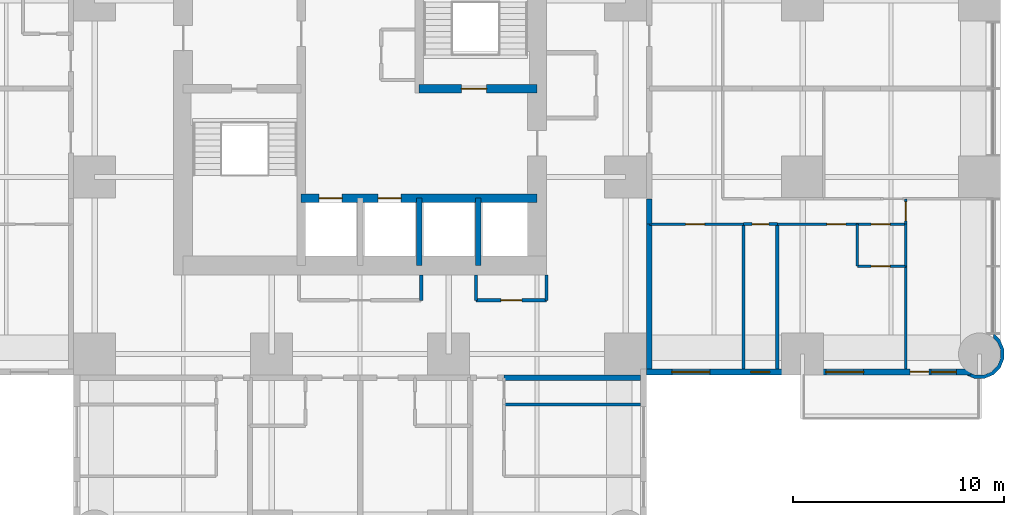
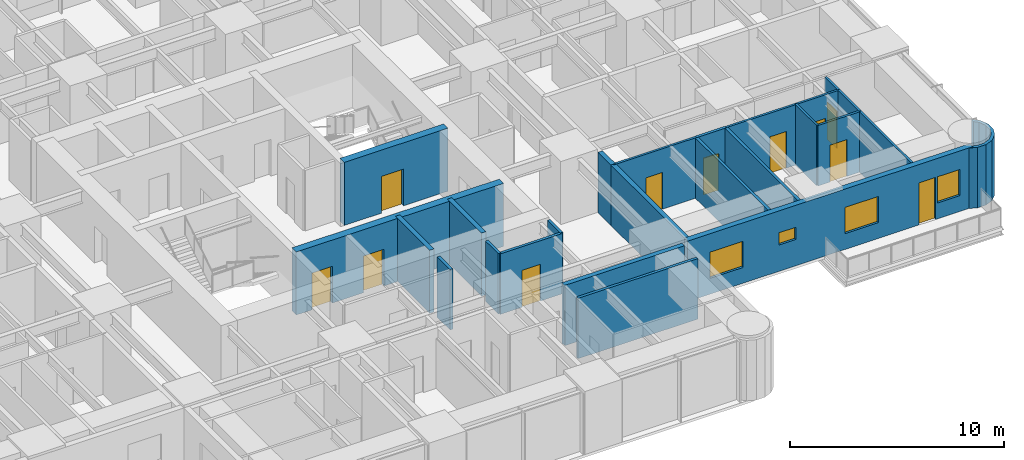
# One storey, part 9 of 14: 25 walls, 11 doors, 4 windows, 15 openings.
"""IFC4 building model written with IfcOpenShell, lengths in metres."""

from ifc_helpers import new_model, si_unit, direction, frame, frame_2d, origin, place, context, subcontext, project, spatial, polyline, rectangle, outline, extrude, material, layer, layer_set, type_object, element, fill, save


model = new_model("IFC4")

# Units and contexts
model_context = context("Model", 3, precision=1e-05, world=origin(), true_north=direction((0.0, 1.0)))
body_context = subcontext(model_context, "Body", "Model", "MODEL_VIEW")
ifc_project = project(units=[si_unit("LENGTHUNIT", "METRE"), si_unit("AREAUNIT", "SQUARE_METRE"), si_unit("VOLUMEUNIT", "CUBIC_METRE"), si_unit("PLANEANGLEUNIT", "RADIAN"), si_unit("MASSUNIT", "GRAM", prefix="KILO")], contexts=[model_context])

# Site, building, storey
site_placement = place(None, origin())
site = spatial("IfcSite", under=ifc_project, at=site_placement, CompositionType="ELEMENT")
building_placement = place(site_placement, origin())
building = spatial("IfcBuilding", under=site, at=building_placement, Name="Torre Alcanfor", CompositionType="ELEMENT")
storey_placement = place(building_placement, frame((0.0, 0.0, 112.5)))
storey = spatial("IfcBuildingStorey", under=building, at=storey_placement, Name="L28", CompositionType="ELEMENT", Elevation=112.5)

# Walls
ifc_material_1 = material(Name="Concrete block masonry, hollow blocks NMX-C-404 9 MPa", Category="masonry")
ifc_layer_1 = layer(ifc_material_1, 0.25)
ifc_layer_set_1 = layer_set([ifc_layer_1], Name="Apartment entrance wall 250 EI 60")
wall_type_1 = type_object("IfcWallType", Name="Apartment entrance wall 250 EI 60", PredefinedType="PARTITIONING", material=ifc_layer_set_1)
wall_1_placement = place(storey_placement, frame((43.125, 24.1708984375, 0.0), z_axis=(0.0, 0.0, 1.0), x_axis=(0.0, -1.0, 0.0)))
element("IfcWall", 1, at=wall_1_placement, inside=storey, type_object=wall_type_1, Name="Partition L28-CORR / L28-E2-HALL", PredefinedType="PARTITIONING", context=body_context, shape_type="SweptSolid", body=[
    extrude(rectangle(XDim=1.199951171875, YDim=0.25, at=frame_2d((0.60009765625, 0.0))), origin(), (0.0, 0.0, 1.0), 3.449951171875),
])
wall_2_placement = place(storey_placement, frame((43.125, 22.970947265625, 0.0), z_axis=(0.0, 0.0, 1.0), x_axis=(0.0, -1.0, 0.0)))
element("IfcWall", 2, at=wall_2_placement, inside=storey, type_object=wall_type_1, Name="Partition L28-CORR / L28-E2-BED2", PredefinedType="PARTITIONING", context=body_context, shape_type="SweptSolid", body=[
    extrude(rectangle(XDim=6.870849609375, YDim=0.25, at=frame_2d((3.435546875, 0.0))), origin(), (0.0, 0.0, 1.0), 3.449951171875),
])
wall_3_placement = place(storey_placement, frame((42.699951171875, 15.675048828125, 0.0), z_axis=(0.0, 0.0, 1.0), x_axis=(-1.0, 0.0, 0.0)))
element("IfcWall", 3, at=wall_3_placement, inside=storey, type_object=wall_type_1, Name="Partition L28-CORR / L28-S1B-BATH", PredefinedType="PARTITIONING", context=body_context, shape_type="SweptSolid", body=[
    extrude(rectangle(XDim=6.470947265625, YDim=0.25, at=frame_2d((3.2353515625, 0.0))), origin(), (0.0, 0.0, 1.0), 3.449951171875),
])

# Wall, opening, door
ifc_material_2 = material(Name="Gypsum board on steel studs", Category="steel")
ifc_layer_2 = layer(ifc_material_2, 0.1201171875)
ifc_layer_set_2 = layer_set([ifc_layer_2], Name="Apartment partition 120")
wall_type_2 = type_object("IfcWallType", Name="Apartment partition 120", PredefinedType="PARTITIONING", material=ifc_layer_set_2)
wall_4_placement = place(storey_placement, frame((47.60009765625, 22.970947265625, 0.0), z_axis=(0.0, 0.0, 1.0), x_axis=(-1.0, 0.0, 0.0)))
wall_4 = element("IfcWall", 4, at=wall_4_placement, inside=storey, type_object=wall_type_2, Name="Partition L28-E2-HALL / L28-E2-BED2", PredefinedType="PARTITIONING", context=body_context, shape_type="SweptSolid", body=[
    extrude(rectangle(XDim=4.47509765625, YDim=0.1201171875, at=frame_2d((2.237548828125, 0.0))), origin(), (0.0, 0.0, 1.0), 3.449951171875),
])
opening_1_placement = place(wall_4_placement, frame((1.85009765625, 0.0, 0.0)))
opening_1 = element("IfcOpeningElement", 5, at=opening_1_placement, cuts=wall_4, Name="Opening D-R1", PredefinedType="OPENING", context=body_context, shape_type="SweptSolid", body=[
    extrude(rectangle(XDim=0.89990234375, YDim=2.10009765625, at=frame_2d((0.449951171875, 1.050048828125))), frame((0.0, 0.070068359375, 0.0), z_axis=(0.0, -1.0, 0.0), x_axis=(1.0, 0.0, 0.0)), (0.0, 0.0, 1.0), 0.14013671875),
])
ifc_material_3 = material(Name="Timber", Category="wood")
door_type_1 = type_object("IfcDoorType", Name="Internal door 900x2100", OperationType="SINGLE_SWING_LEFT", PredefinedType="DOOR", material=ifc_material_3)
door_1_placement = place(opening_1_placement, origin())
door_1 = element("IfcDoor", 6, at=door_1_placement, inside=storey, type_object=door_type_1, Name="Door L28-E2 bed2", OperationType="SINGLE_SWING_RIGHT", OverallHeight=2.10009765625, OverallWidth=0.89990234375, PredefinedType="DOOR", context=body_context, shape_type="SweptSolid", body=[
    extrude(rectangle(XDim=0.89990234375, YDim=2.10009765625, at=frame_2d((0.449951171875, 1.050048828125))), frame((0.0, 0.02490234375, 0.0), z_axis=(0.0, -1.0, 0.0), x_axis=(1.0, 0.0, 0.0)), (0.0, 0.0, 1.0), 0.050048828125),
])
fill(opening_1, door_1)

wall_5_placement = place(storey_placement, frame((53.0, 22.970947265625, 0.0), z_axis=(0.0, 0.0, 1.0), x_axis=(-1.0, 0.0, 0.0)))
wall_5 = element("IfcWall", 7, at=wall_5_placement, inside=storey, type_object=wall_type_2, Name="Partition L28-E2-HALL / L28-E2-MASTER", PredefinedType="PARTITIONING", context=body_context, shape_type="SweptSolid", body=[
    extrude(rectangle(XDim=3.800048828125, YDim=0.1201171875, at=frame_2d((1.89990234375, 0.0))), origin(), (0.0, 0.0, 1.0), 3.449951171875),
])
opening_2_placement = place(wall_5_placement, frame((0.550048828125, 0.0, 0.0)))
opening_2 = element("IfcOpeningElement", 8, at=opening_2_placement, cuts=wall_5, Name="Opening D-R1", PredefinedType="OPENING", context=body_context, shape_type="SweptSolid", body=[
    extrude(rectangle(XDim=0.89990234375, YDim=2.10009765625, at=frame_2d((0.449951171875, 1.050048828125))), frame((0.0, 0.070068359375, 0.0), z_axis=(0.0, -1.0, 0.0), x_axis=(1.0, 0.0, 0.0)), (0.0, 0.0, 1.0), 0.14013671875),
])
door_2_placement = place(opening_2_placement, origin())
door_2 = element("IfcDoor", 9, at=door_2_placement, inside=storey, type_object=door_type_1, Name="Door L28-E2 master", OperationType="SINGLE_SWING_LEFT", OverallHeight=2.10009765625, OverallWidth=0.89990234375, PredefinedType="DOOR", context=body_context, shape_type="SweptSolid", body=[
    extrude(rectangle(XDim=0.89990234375, YDim=2.10009765625, at=frame_2d((0.449951171875, 1.050048828125))), frame((0.0, 0.02490234375, 0.0), z_axis=(0.0, -1.0, 0.0), x_axis=(1.0, 0.0, 0.0)), (0.0, 0.0, 1.0), 0.050048828125),
])
fill(opening_2, door_2)

wall_6_placement = place(storey_placement, frame((55.300048828125, 22.970947265625, 0.0), z_axis=(0.0, 0.0, 1.0), x_axis=(-1.0, 0.0, 0.0)))
wall_6 = element("IfcWall", 10, at=wall_6_placement, inside=storey, type_object=wall_type_2, Name="Partition L28-E2-HALL / L28-E2-VEST", PredefinedType="PARTITIONING", context=body_context, shape_type="SweptSolid", body=[
    extrude(rectangle(XDim=2.300048828125, YDim=0.1201171875, at=frame_2d((1.14990234375, 0.0))), origin(), (0.0, 0.0, 1.0), 3.449951171875),
])
opening_3_placement = place(wall_6_placement, frame((0.75, 0.0, 0.0)))
opening_3 = element("IfcOpeningElement", 11, at=opening_3_placement, cuts=wall_6, Name="Opening D-R1", PredefinedType="OPENING", context=body_context, shape_type="SweptSolid", body=[
    extrude(rectangle(XDim=0.89990234375, YDim=2.10009765625, at=frame_2d((0.449951171875, 1.050048828125))), frame((0.0, 0.070068359375, 0.0), z_axis=(0.0, -1.0, 0.0), x_axis=(1.0, 0.0, 0.0)), (0.0, 0.0, 1.0), 0.14013671875),
])
door_3_placement = place(opening_3_placement, origin())
door_3 = element("IfcDoor", 12, at=door_3_placement, inside=storey, type_object=door_type_1, Name="Door L28-E2 vest", OperationType="SINGLE_SWING_RIGHT", OverallHeight=2.10009765625, OverallWidth=0.89990234375, PredefinedType="DOOR", context=body_context, shape_type="SweptSolid", body=[
    extrude(rectangle(XDim=0.89990234375, YDim=2.10009765625, at=frame_2d((0.449951171875, 1.050048828125))), frame((0.0, 0.02490234375, 0.0), z_axis=(0.0, -1.0, 0.0), x_axis=(1.0, 0.0, 0.0)), (0.0, 0.0, 1.0), 0.050048828125),
])
fill(opening_3, door_3)

wall_7_placement = place(storey_placement, frame((55.300048828125, 24.1708984375, 0.0), z_axis=(0.0, 0.0, 1.0), x_axis=(0.0, -1.0, 0.0)))
wall_7 = element("IfcWall", 13, at=wall_7_placement, inside=storey, type_object=wall_type_2, Name="Partition L28-E2-HALL / L28-E2-WGARD", PredefinedType="PARTITIONING", context=body_context, shape_type="SweptSolid", body=[
    extrude(rectangle(XDim=1.199951171875, YDim=0.1201171875, at=frame_2d((0.60009765625, 0.0))), origin(), (0.0, 0.0, 1.0), 3.449951171875),
])
opening_4_placement = place(wall_7_placement, frame((0.15087890625, 0.0, 0.0)))
opening_4 = element("IfcOpeningElement", 14, at=opening_4_placement, cuts=wall_7, Name="Opening D-R1", PredefinedType="OPENING", context=body_context, shape_type="SweptSolid", body=[
    extrude(rectangle(XDim=0.89990234375, YDim=2.10009765625, at=frame_2d((0.449951171875, 1.050048828125))), frame((0.0, 0.070068359375, 0.0), z_axis=(0.0, -1.0, 0.0), x_axis=(1.0, 0.0, 0.0)), (0.0, 0.0, 1.0), 0.14013671875),
])
door_4_placement = place(opening_4_placement, origin())
door_4 = element("IfcDoor", 15, at=door_4_placement, inside=storey, type_object=door_type_1, Name="Door L28-E2 wgard", OperationType="SINGLE_SWING_LEFT", OverallHeight=2.10009765625, OverallWidth=0.89990234375, PredefinedType="DOOR", context=body_context, shape_type="SweptSolid", body=[
    extrude(rectangle(XDim=0.89990234375, YDim=2.10009765625, at=frame_2d((0.449951171875, 1.050048828125))), frame((0.0, 0.02490234375, 0.0), z_axis=(0.0, -1.0, 0.0), x_axis=(1.0, 0.0, 0.0)), (0.0, 0.0, 1.0), 0.050048828125),
])
fill(opening_4, door_4)

# Wall
wall_8_placement = place(storey_placement, frame((53.0, 22.970947265625, 0.0), z_axis=(0.0, 0.0, 1.0), x_axis=(0.0, -1.0, 0.0)))
element("IfcWall", 16, at=wall_8_placement, inside=storey, type_object=wall_type_2, Name="Partition L28-E2-MASTER / L28-E2-VEST", PredefinedType="PARTITIONING", context=body_context, shape_type="SweptSolid", body=[
    extrude(rectangle(XDim=2.0, YDim=0.1201171875, at=frame_2d((1.0, 0.0))), origin(), (0.0, 0.0, 1.0), 3.449951171875),
])

# Wall, opening, door
wall_9_placement = place(storey_placement, frame((53.0, 20.970947265625, 0.0), z_axis=(0.0, 0.0, 1.0), x_axis=(1.0, 0.0, 0.0)))
wall_9 = element("IfcWall", 17, at=wall_9_placement, inside=storey, type_object=wall_type_2, Name="Partition L28-E2-MASTER / L28-E2-VEST", PredefinedType="PARTITIONING", context=body_context, shape_type="SweptSolid", body=[
    extrude(rectangle(XDim=2.300048828125, YDim=0.1201171875, at=frame_2d((1.14990234375, 0.0))), origin(), (0.0, 0.0, 1.0), 3.449951171875),
])
opening_5_placement = place(wall_9_placement, frame((0.64990234375, 0.0, 0.0)))
opening_5 = element("IfcOpeningElement", 18, at=opening_5_placement, cuts=wall_9, Name="Opening D-R1", PredefinedType="OPENING", context=body_context, shape_type="SweptSolid", body=[
    extrude(rectangle(XDim=0.89990234375, YDim=2.10009765625, at=frame_2d((0.449951171875, 1.050048828125))), frame((0.0, 0.070068359375, 0.0), z_axis=(0.0, -1.0, 0.0), x_axis=(1.0, 0.0, 0.0)), (0.0, 0.0, 1.0), 0.14013671875),
])
door_5_placement = place(opening_5_placement, origin())
door_5 = element("IfcDoor", 19, at=door_5_placement, inside=storey, type_object=door_type_1, Name="Door L28-E2 master", OperationType="SINGLE_SWING_LEFT", OverallHeight=2.10009765625, OverallWidth=0.89990234375, PredefinedType="DOOR", context=body_context, shape_type="SweptSolid", body=[
    extrude(rectangle(XDim=0.89990234375, YDim=2.10009765625, at=frame_2d((0.449951171875, 1.050048828125))), frame((0.0, 0.02490234375, 0.0), z_axis=(0.0, -1.0, 0.0), x_axis=(1.0, 0.0, 0.0)), (0.0, 0.0, 1.0), 0.050048828125),
])
fill(opening_5, door_5)

# Walls
wall_10_placement = place(storey_placement, frame((55.300048828125, 20.970947265625, 0.0), z_axis=(0.0, 0.0, 1.0), x_axis=(0.0, -1.0, 0.0)))
element("IfcWall", 20, at=wall_10_placement, inside=storey, type_object=wall_type_2, Name="Partition L28-E2-MASTER / L28-E2-WGARD", PredefinedType="PARTITIONING", context=body_context, shape_type="SweptSolid", body=[
    extrude(rectangle(XDim=4.870849609375, YDim=0.1201171875, at=frame_2d((2.435546875, 0.0))), origin(), (0.0, 0.0, 1.0), 3.449951171875),
])
wall_11_placement = place(storey_placement, frame((55.300048828125, 22.970947265625, 0.0), z_axis=(0.0, 0.0, 1.0), x_axis=(0.0, -1.0, 0.0)))
element("IfcWall", 21, at=wall_11_placement, inside=storey, type_object=wall_type_2, Name="Partition L28-E2-VEST / L28-E2-WGARD", PredefinedType="PARTITIONING", context=body_context, shape_type="SweptSolid", body=[
    extrude(rectangle(XDim=2.0, YDim=0.1201171875, at=frame_2d((1.0, 0.0))), origin(), (0.0, 0.0, 1.0), 3.449951171875),
])

# Wall, openings, doors
ifc_material_4 = material(Name="Concrete f'c 70 MPa", Category="concrete")
ifc_layer_3 = layer(ifc_material_4, 0.39990234375)
ifc_layer_set_3 = layer_set([ifc_layer_3], Name="Core inner wall 400 f'c70")
wall_type_3 = type_object("IfcWallType", Name="Core inner wall 400 f'c70", PredefinedType="SHEAR", material=ifc_layer_set_3)
wall_12_placement = place(storey_placement, frame((26.60009765625, 24.199951171875, 0.0), z_axis=(0.0, 0.0, 1.0), x_axis=(1.0, 0.0, 0.0)))
wall_12 = element("IfcWall", 22, at=wall_12_placement, inside=storey, type_object=wall_type_3, Name="Core wall Y242 L28", PredefinedType="SHEAR", context=body_context, shape_type="SweptSolid", body=[
    extrude(rectangle(XDim=11.199951171875, YDim=0.39990234375, at=frame_2d((5.60009765625, 0.0))), origin(), (0.0, 0.0, 1.0), 3.60009765625),
])
opening_6_placement = place(wall_12_placement, frame((0.85009765625, 0.0, 0.0)))
opening_6 = element("IfcOpeningElement", 23, at=opening_6_placement, cuts=wall_12, Name="Opening LD1", PredefinedType="OPENING", context=body_context, shape_type="SweptSolid", body=[
    extrude(rectangle(XDim=1.10009765625, YDim=2.10009765625, at=frame_2d((0.550048828125, 1.050048828125))), frame((0.0, 0.2099609375, 0.0), z_axis=(0.0, -1.0, 0.0), x_axis=(1.0, 0.0, 0.0)), (0.0, 0.0, 1.0), 0.419921875),
])
opening_7_placement = place(wall_12_placement, frame((3.64990234375, 0.0, 0.0)))
opening_7 = element("IfcOpeningElement", 24, at=opening_7_placement, cuts=wall_12, Name="Opening LD1", PredefinedType="OPENING", context=body_context, shape_type="SweptSolid", body=[
    extrude(rectangle(XDim=1.10009765625, YDim=2.10009765625, at=frame_2d((0.550048828125, 1.050048828125))), frame((0.0, 0.2099609375, 0.0), z_axis=(0.0, -1.0, 0.0), x_axis=(1.0, 0.0, 0.0)), (0.0, 0.0, 1.0), 0.419921875),
])
ifc_material_5 = material(Name="Galvanised steel sheet ASTM A653", Category="steel")
door_type_2 = type_object("IfcDoorType", Name="Lift landing door 1100x2100", OperationType="DOUBLE_DOOR_SLIDING", PredefinedType="DOOR", material=ifc_material_5)
door_6_placement = place(opening_6_placement, origin())
door_6 = element("IfcDoor", 25, at=door_6_placement, inside=storey, type_object=door_type_2, Name="Lift landing door PA1 L28", OperationType="DOUBLE_DOOR_SLIDING", OverallHeight=2.10009765625, OverallWidth=1.10009765625, PredefinedType="DOOR", context=body_context, shape_type="SweptSolid", body=[
    extrude(rectangle(XDim=1.10009765625, YDim=2.10009765625, at=frame_2d((0.550048828125, 1.050048828125))), frame((0.0, 0.02490234375, 0.0), z_axis=(0.0, -1.0, 0.0), x_axis=(1.0, 0.0, 0.0)), (0.0, 0.0, 1.0), 0.050048828125),
])
fill(opening_6, door_6)
door_7_placement = place(opening_7_placement, origin())
door_7 = element("IfcDoor", 26, at=door_7_placement, inside=storey, type_object=door_type_2, Name="Lift landing door PA2 L28", OperationType="DOUBLE_DOOR_SLIDING", OverallHeight=2.10009765625, OverallWidth=1.10009765625, PredefinedType="DOOR", context=body_context, shape_type="SweptSolid", body=[
    extrude(rectangle(XDim=1.10009765625, YDim=2.10009765625, at=frame_2d((0.550048828125, 1.050048828125))), frame((0.0, 0.02490234375, 0.0), z_axis=(0.0, -1.0, 0.0), x_axis=(1.0, 0.0, 0.0)), (0.0, 0.0, 1.0), 0.050048828125),
])
fill(opening_7, door_7)

# Wall, opening, door
wall_13_placement = place(storey_placement, frame((32.199951171875, 29.39990234375, 0.0), z_axis=(0.0, 0.0, 1.0), x_axis=(1.0, 0.0, 0.0)))
wall_13 = element("IfcWall", 27, at=wall_13_placement, inside=storey, type_object=wall_type_3, Name="Core wall Y294E L28", PredefinedType="SHEAR", context=body_context, shape_type="SweptSolid", body=[
    extrude(rectangle(XDim=5.60009765625, YDim=0.39990234375, at=frame_2d((2.800048828125, 0.0))), origin(), (0.0, 0.0, 1.0), 3.60009765625),
])
opening_8_placement = place(wall_13_placement, frame((2.0, 0.0, 0.0)))
opening_8 = element("IfcOpeningElement", 28, at=opening_8_placement, cuts=wall_13, Name="Opening D-S2", PredefinedType="OPENING", context=body_context, shape_type="SweptSolid", body=[
    extrude(rectangle(XDim=1.199951171875, YDim=2.10009765625, at=frame_2d((0.60009765625, 1.050048828125))), frame((0.0, 0.2099609375, 0.0), z_axis=(0.0, -1.0, 0.0), x_axis=(1.0, 0.0, 0.0)), (0.0, 0.0, 1.0), 0.419921875),
])
ifc_material_6 = material(Name="Galvanised steel sheet ASTM A653", Category="steel")
door_type_3 = type_object("IfcDoorType", Name="Stair enclosure door FD120 1200x2100", OperationType="SINGLE_SWING_LEFT", PredefinedType="DOOR", material=ifc_material_6)
door_8_placement = place(opening_8_placement, origin())
door_8 = element("IfcDoor", 29, at=door_8_placement, inside=storey, type_object=door_type_3, Name="Stair S2 door L28", OperationType="SINGLE_SWING_LEFT", OverallHeight=2.10009765625, OverallWidth=1.199951171875, PredefinedType="DOOR", context=body_context, shape_type="SweptSolid", body=[
    extrude(rectangle(XDim=1.199951171875, YDim=2.10009765625, at=frame_2d((0.60009765625, 1.050048828125))), frame((0.0, 0.02490234375, 0.0), z_axis=(0.0, -1.0, 0.0), x_axis=(1.0, 0.0, 0.0)), (0.0, 0.0, 1.0), 0.050048828125),
])
fill(opening_8, door_8)

# Walls
ifc_material_7 = material(Name="Concrete f'c 70 MPa", Category="concrete")
ifc_layer_4 = layer(ifc_material_7, 0.25)
ifc_layer_set_4 = layer_set([ifc_layer_4], Name="Core shaft wall 250 f'c70")
wall_type_4 = type_object("IfcWallType", Name="Core shaft wall 250 f'c70", PredefinedType="SHEAR", material=ifc_layer_set_4)
for number, where, z_axis, x_axis, name in (
    (30, (32.199951171875, 21.0, 0.0), (0.0, 0.0, 1.0), (0.0, 1.0, 0.0), "Core wall X322S L28"),
    (31, (35.0, 21.0, 0.0), (0.0, 0.0, 1.0), (0.0, 1.0, 0.0), "Core wall X350S L28"),
):
    element("IfcWall", number, at=place(storey_placement, frame(where, z_axis=z_axis, x_axis=x_axis)), inside=storey, type_object=wall_type_4, Name=name, PredefinedType="SHEAR", context=body_context, shape_type="SweptSolid", body=[
        extrude(rectangle(XDim=3.199951171875, YDim=0.25, at=frame_2d((1.60009765625, 0.0))), origin(), (0.0, 0.0, 1.0), 3.60009765625),
    ])

# Wall, openings, door, windows
ifc_material_8 = material(Name="Limestone cladding", Category="masonry")
ifc_layer_5 = layer(ifc_material_8, 0.0400390625, Name="Facing")
ifc_material_9 = material(Name="Ventilated air cavity")
ifc_layer_6 = layer(ifc_material_9, 0.02001953125, ventilated=True, Name="Ventilated joint")
ifc_material_10 = material(Name="Mineral wool insulation", Category="insulation")
ifc_layer_7 = layer(ifc_material_10, 0.10009765625, Name="Insulation")
ifc_material_11 = material(Name="Concrete f'c 35 MPa", Category="concrete")
ifc_layer_8 = layer(ifc_material_11, 0.139892578125, Name="Backing")
ifc_layer_set_5 = layer_set([ifc_layer_5, ifc_layer_6, ifc_layer_7, ifc_layer_8], Name="External wall stone-clad 300")
wall_type_5 = type_object("IfcWallType", Name="External wall stone-clad 300", PredefinedType="SOLIDWALL", material=ifc_layer_set_5)
wall_14_placement = place(storey_placement, frame((43.0, 15.949951171875, 0.0), z_axis=(0.0, 0.0, 1.0), x_axis=(1.0, 0.0, 0.0)))
wall_14 = element("IfcWall", 32, at=wall_14_placement, inside=storey, type_object=wall_type_5, Name="External wall L28 7", PredefinedType="SOLIDWALL", context=body_context, shape_type="SweptSolid", body=[
    extrude(rectangle(XDim=15.39990234375, YDim=0.300048828125, at=frame_2d((7.699951171875, 0.0))), origin(), (0.0, 0.0, 1.0), 3.449951171875),
])
opening_9_placement = place(wall_14_placement, frame((1.199951171875, 0.0, 0.89990234375)))
opening_9 = element("IfcOpeningElement", 33, at=opening_9_placement, cuts=wall_14, Name="Opening W2", PredefinedType="OPENING", context=body_context, shape_type="SweptSolid", body=[
    extrude(rectangle(XDim=1.800048828125, YDim=1.5, at=frame_2d((0.89990234375, 0.75))), frame((0.0, 0.159912109375, 0.0), z_axis=(0.0, -1.0, 0.0), x_axis=(1.0, 0.0, 0.0)), (0.0, 0.0, 1.0), 0.320068359375),
])
opening_10_placement = place(wall_14_placement, frame((4.949951171875, 0.0, 1.5)))
opening_10 = element("IfcOpeningElement", 34, at=opening_10_placement, cuts=wall_14, Name="Opening W3", PredefinedType="OPENING", context=body_context, shape_type="SweptSolid", body=[
    extrude(rectangle(XDim=0.89990234375, YDim=0.699951171875, at=frame_2d((0.449951171875, 0.35009765625))), frame((0.0, 0.159912109375, 0.0), z_axis=(0.0, -1.0, 0.0), x_axis=(1.0, 0.0, 0.0)), (0.0, 0.0, 1.0), 0.320068359375),
])
opening_11_placement = place(wall_14_placement, frame((8.5, 0.0, 0.89990234375)))
opening_11 = element("IfcOpeningElement", 35, at=opening_11_placement, cuts=wall_14, Name="Opening W2", PredefinedType="OPENING", context=body_context, shape_type="SweptSolid", body=[
    extrude(rectangle(XDim=1.800048828125, YDim=1.5, at=frame_2d((0.89990234375, 0.75))), frame((0.0, 0.159912109375, 0.0), z_axis=(0.0, -1.0, 0.0), x_axis=(1.0, 0.0, 0.0)), (0.0, 0.0, 1.0), 0.320068359375),
])
opening_12_placement = place(wall_14_placement, frame((12.5, 0.0, 0.0)))
opening_12 = element("IfcOpeningElement", 36, at=opening_12_placement, cuts=wall_14, Name="Opening D-B1", PredefinedType="OPENING", context=body_context, shape_type="SweptSolid", body=[
    extrude(rectangle(XDim=0.89990234375, YDim=2.39990234375, at=frame_2d((0.449951171875, 1.199951171875))), frame((0.0, 0.159912109375, 0.0), z_axis=(0.0, -1.0, 0.0), x_axis=(1.0, 0.0, 0.0)), (0.0, 0.0, 1.0), 0.320068359375),
])
opening_13_placement = place(wall_14_placement, frame((13.5, 0.0, 0.89990234375)))
opening_13 = element("IfcOpeningElement", 37, at=opening_13_placement, cuts=wall_14, Name="Opening W4", PredefinedType="OPENING", context=body_context, shape_type="SweptSolid", body=[
    extrude(rectangle(XDim=1.199951171875, YDim=1.5, at=frame_2d((0.60009765625, 0.75))), frame((0.0, 0.159912109375, 0.0), z_axis=(0.0, -1.0, 0.0), x_axis=(1.0, 0.0, 0.0)), (0.0, 0.0, 1.0), 0.320068359375),
])
ifc_material_12 = material(Name="Aluminium and glass", Category="aluminium")
door_type_4 = type_object("IfcDoorType", Name="Balcony door glazed 900x2400", OperationType="SINGLE_SWING_LEFT", PredefinedType="DOOR", material=ifc_material_12)
door_9_placement = place(opening_12_placement, origin())
door_9 = element("IfcDoor", 38, at=door_9_placement, inside=storey, type_object=door_type_4, Name="Balcony door L28-E2", OperationType="SINGLE_SWING_LEFT", OverallHeight=2.39990234375, OverallWidth=0.89990234375, PredefinedType="DOOR", context=body_context, shape_type="SweptSolid", body=[
    extrude(rectangle(XDim=0.89990234375, YDim=2.39990234375, at=frame_2d((0.449951171875, 1.199951171875))), frame((0.0, 0.02490234375, 0.0), z_axis=(0.0, -1.0, 0.0), x_axis=(1.0, 0.0, 0.0)), (0.0, 0.0, 1.0), 0.050048828125),
])
fill(opening_12, door_9)
ifc_material_13 = material(Name="Aluminium frame with clear double glazing", Category="aluminium")
window_type_1 = type_object("IfcWindowType", Name="Window bathroom 900x700", PartitioningType="SINGLE_PANEL", PredefinedType="WINDOW", material=ifc_material_13)
window_1_placement = place(opening_10_placement, origin())
window_1 = element("IfcWindow", 39, at=window_1_placement, inside=storey, type_object=window_type_1, Name="Window W3 L28-E2", OverallHeight=0.699951171875, OverallWidth=0.89990234375, PartitioningType="SINGLE_PANEL", PredefinedType="WINDOW", context=body_context, shape_type="SweptSolid", body=[
    extrude(rectangle(XDim=0.89990234375, YDim=0.699951171875, at=frame_2d((0.449951171875, 0.35009765625))), frame((0.0, 0.030029296875, 0.0), z_axis=(0.0, -1.0, 0.0), x_axis=(1.0, 0.0, 0.0)), (0.0, 0.0, 1.0), 0.06005859375),
])
fill(opening_10, window_1)
ifc_material_14 = material(Name="Aluminium frame with clear double glazing", Category="aluminium")
window_type_2 = type_object("IfcWindowType", Name="Window bedroom 1200x1500", PartitioningType="SINGLE_PANEL", PredefinedType="WINDOW", material=ifc_material_14)
window_2_placement = place(opening_13_placement, origin())
window_2 = element("IfcWindow", 40, at=window_2_placement, inside=storey, type_object=window_type_2, Name="Window W4 L28-E2", OverallHeight=1.5, OverallWidth=1.199951171875, PartitioningType="SINGLE_PANEL", PredefinedType="WINDOW", context=body_context, shape_type="SweptSolid", body=[
    extrude(rectangle(XDim=1.199951171875, YDim=1.5, at=frame_2d((0.60009765625, 0.75))), frame((0.0, 0.030029296875, 0.0), z_axis=(0.0, -1.0, 0.0), x_axis=(1.0, 0.0, 0.0)), (0.0, 0.0, 1.0), 0.06005859375),
])
fill(opening_13, window_2)
ifc_material_15 = material(Name="Aluminium frame with clear double glazing", Category="aluminium")
window_type_3 = type_object("IfcWindowType", Name="Window bedroom 1800x1500", PartitioningType="SINGLE_PANEL", PredefinedType="WINDOW", material=ifc_material_15)
window_3_placement = place(opening_9_placement, origin())
window_3 = element("IfcWindow", 41, at=window_3_placement, inside=storey, type_object=window_type_3, Name="Window W2 L28-E2", OverallHeight=1.5, OverallWidth=1.800048828125, PartitioningType="SINGLE_PANEL", PredefinedType="WINDOW", context=body_context, shape_type="SweptSolid", body=[
    extrude(rectangle(XDim=1.800048828125, YDim=1.5, at=frame_2d((0.89990234375, 0.75))), frame((0.0, 0.030029296875, 0.0), z_axis=(0.0, -1.0, 0.0), x_axis=(1.0, 0.0, 0.0)), (0.0, 0.0, 1.0), 0.06005859375),
])
fill(opening_9, window_3)
window_4_placement = place(opening_11_placement, origin())
window_4 = element("IfcWindow", 42, at=window_4_placement, inside=storey, type_object=window_type_3, Name="Window W2 L28-E2", OverallHeight=1.5, OverallWidth=1.800048828125, PartitioningType="SINGLE_PANEL", PredefinedType="WINDOW", context=body_context, shape_type="SweptSolid", body=[
    extrude(rectangle(XDim=1.800048828125, YDim=1.5, at=frame_2d((0.89990234375, 0.75))), frame((0.0, 0.030029296875, 0.0), z_axis=(0.0, -1.0, 0.0), x_axis=(1.0, 0.0, 0.0)), (0.0, 0.0, 1.0), 0.06005859375),
])
fill(opening_11, window_4)

# Walls
ifc_material_16 = material(Name="Concrete block masonry, hollow blocks NMX-C-404 9 MPa", Category="masonry")
ifc_layer_9 = layer(ifc_material_16, 0.14990234375)
ifc_layer_set_6 = layer_set([ifc_layer_9], Name="Residents' room partition 150")
wall_type_6 = type_object("IfcWallType", Name="Residents' room partition 150", PredefinedType="PARTITIONING", material=ifc_layer_set_6)
for number, where, z_axis, x_axis, name in (
    (43, (32.300048828125, 19.35009765625, 0.0), (0.0, 0.0, 1.0), (0.0, 1.0, 0.0), "Partition L28-CORR / L28-G03"),
    (44, (34.89990234375, 20.550048828125, 0.0), (0.0, 0.0, 1.0), (0.0, -1.0, 0.0), "Partition L28-CORR / L28-G04"),
):
    element("IfcWall", number, at=place(storey_placement, frame(where, z_axis=z_axis, x_axis=x_axis)), inside=storey, type_object=wall_type_6, Name=name, PredefinedType="PARTITIONING", context=body_context, shape_type="SweptSolid", body=[
        extrude(rectangle(XDim=1.199951171875, YDim=0.14990234375, at=frame_2d((0.60009765625, 0.0))), origin(), (0.0, 0.0, 1.0), 3.449951171875),
    ])

# Wall, opening, door
wall_15_placement = place(storey_placement, frame((34.89990234375, 19.35009765625, 0.0), z_axis=(0.0, 0.0, 1.0), x_axis=(1.0, 0.0, 0.0)))
wall_15 = element("IfcWall", 45, at=wall_15_placement, inside=storey, type_object=wall_type_6, Name="Partition L28-CORR / L28-G04", PredefinedType="PARTITIONING", context=body_context, shape_type="SweptSolid", body=[
    extrude(rectangle(XDim=3.35009765625, YDim=0.14990234375, at=frame_2d((1.675048828125, 0.0))), origin(), (0.0, 0.0, 1.0), 3.449951171875),
])
opening_14_placement = place(wall_15_placement, frame((1.175048828125, 0.0, 0.0)))
opening_14 = element("IfcOpeningElement", 46, at=opening_14_placement, cuts=wall_15, Name="Opening D-M1", PredefinedType="OPENING", context=body_context, shape_type="SweptSolid", body=[
    extrude(rectangle(XDim=1.0, YDim=2.10009765625, at=frame_2d((0.5, 1.050048828125))), frame((0.0, 0.0849609375, 0.0), z_axis=(0.0, -1.0, 0.0), x_axis=(1.0, 0.0, 0.0)), (0.0, 0.0, 1.0), 0.169921875),
])
ifc_material_17 = material(Name="Timber", Category="wood")
door_type_5 = type_object("IfcDoorType", Name="Residents' room door 1000x2100", OperationType="SINGLE_SWING_LEFT", PredefinedType="DOOR", material=ifc_material_17)
door_10_placement = place(opening_14_placement, origin())
door_10 = element("IfcDoor", 47, at=door_10_placement, inside=storey, type_object=door_type_5, Name="Door L28-G04 bicycle store", OperationType="SINGLE_SWING_LEFT", OverallHeight=2.10009765625, OverallWidth=1.0, PredefinedType="DOOR", context=body_context, shape_type="SweptSolid", body=[
    extrude(rectangle(XDim=1.0, YDim=2.10009765625, at=frame_2d((0.5, 1.050048828125))), frame((0.0, 0.02490234375, 0.0), z_axis=(0.0, -1.0, 0.0), x_axis=(1.0, 0.0, 0.0)), (0.0, 0.0, 1.0), 0.050048828125),
])
fill(opening_14, door_10)

# Walls
wall_16_placement = place(storey_placement, frame((38.25, 19.35009765625, 0.0), z_axis=(0.0, 0.0, 1.0), x_axis=(0.0, 1.0, 0.0)))
element("IfcWall", 48, at=wall_16_placement, inside=storey, type_object=wall_type_6, Name="Partition L28-CORR / L28-G04", PredefinedType="PARTITIONING", context=body_context, shape_type="SweptSolid", body=[
    extrude(rectangle(XDim=1.199951171875, YDim=0.14990234375, at=frame_2d((0.60009765625, 0.0))), origin(), (0.0, 0.0, 1.0), 3.449951171875),
])
ifc_layer_10 = layer(ifc_material_8, 0.0400390625, Name="Facing")
ifc_layer_11 = layer(ifc_material_9, 0.02001953125, ventilated=True, Name="Ventilated joint")
ifc_layer_12 = layer(ifc_material_10, 0.10009765625, Name="Insulation")
ifc_layer_13 = layer(ifc_material_11, 0.139892578125, Name="Backing")
ifc_layer_set_7 = layer_set([ifc_layer_10, ifc_layer_11, ifc_layer_12, ifc_layer_13], Name="Rounded corner pier stone-clad 300")
wall_type_7 = type_object("IfcWallType", Name="Rounded corner pier stone-clad 300", PredefinedType="SOLIDWALL", material=ifc_layer_set_7)
wall_17_placement = place(storey_placement, frame((58.23289825, 15.880872367, 0.0), z_axis=(0.0, 0.0, 1.0), x_axis=(0.831199417842, -0.555974394895, 0.0)))
element("IfcWall", 49, at=wall_17_placement, inside=storey, type_object=wall_type_7, Name="Corner pier L28 17", PredefinedType="SOLIDWALL", context=body_context, shape_type="SweptSolid", body=[
    extrude(outline(polyline([(0.07490720727941269, 2.077056255461323), (0.35058090932236585, 2.0223606576391724), (0.6817630015684193, 1.801245056986267), (0.903148313597983, 1.470266968485048), (0.9810743332201726, 1.079752919387694), (0.9033971723616075, 0.6891358831375273), (0.6822815717087017, 0.357953790891474), (0.3513034832074829, 0.13656847886191043), (0.12609277122820509, 0.09166858659136967), (0.18374952362157154, 0.02566952150671363), (0.0035480873315148972, -0.09486398988645157), (0.41362540229185946, -0.013251520497138292), (0.7971622430443449, 0.2432893990220985), (1.053204411415727, 0.6272053345699222), (1.1431780027429084, 1.0797981539575094), (1.0527653834116597, 1.5324531516331712), (0.796224463892423, 1.9159899923856565), (0.4125114578899711, 2.172167896693292), (0.01728884083330451, 2.2505828385341395), (-0.023094138695660904, 2.22357138721968), (0.07490720727941269, 2.077056255461323)])), origin(), (0.0, 0.0, 1.0), 3.449951171875),
])

# Wall, opening, door
ifc_material_18 = material(Name="Cement board on steel studs", Category="steel")
ifc_layer_14 = layer(ifc_material_18, 0.14990234375)
ifc_layer_set_8 = layer_set([ifc_layer_14], Name="Wet area partition 150")
wall_type_8 = type_object("IfcWallType", Name="Wet area partition 150", PredefinedType="PARTITIONING", material=ifc_layer_set_8)
wall_18_placement = place(storey_placement, frame((49.199951171875, 22.970947265625, 0.0), z_axis=(0.0, 0.0, 1.0), x_axis=(-1.0, 0.0, 0.0)))
wall_18 = element("IfcWall", 50, at=wall_18_placement, inside=storey, type_object=wall_type_8, Name="Partition L28-E2-HALL / L28-E2-BATH1", PredefinedType="PARTITIONING", context=body_context, shape_type="SweptSolid", body=[
    extrude(rectangle(XDim=1.599853515625, YDim=0.14990234375, at=frame_2d((0.7998046875, 0.0))), origin(), (0.0, 0.0, 1.0), 3.449951171875),
])
opening_15_placement = place(wall_18_placement, frame((0.39990234375, 0.0, 0.0)))
opening_15 = element("IfcOpeningElement", 51, at=opening_15_placement, cuts=wall_18, Name="Opening D-R2", PredefinedType="OPENING", context=body_context, shape_type="SweptSolid", body=[
    extrude(rectangle(XDim=0.800048828125, YDim=2.10009765625, at=frame_2d((0.39990234375, 1.050048828125))), frame((0.0, 0.0849609375, 0.0), z_axis=(0.0, -1.0, 0.0), x_axis=(1.0, 0.0, 0.0)), (0.0, 0.0, 1.0), 0.169921875),
])
ifc_material_19 = material(Name="Timber", Category="wood")
door_type_6 = type_object("IfcDoorType", Name="Bathroom door 800x2100", OperationType="SINGLE_SWING_LEFT", PredefinedType="DOOR", material=ifc_material_19)
door_11_placement = place(opening_15_placement, origin())
door_11 = element("IfcDoor", 52, at=door_11_placement, inside=storey, type_object=door_type_6, Name="Door L28-E2 bath1", OperationType="SINGLE_SWING_LEFT", OverallHeight=2.10009765625, OverallWidth=0.800048828125, PredefinedType="DOOR", context=body_context, shape_type="SweptSolid", body=[
    extrude(rectangle(XDim=0.800048828125, YDim=2.10009765625, at=frame_2d((0.39990234375, 1.050048828125))), frame((0.0, 0.02490234375, 0.0), z_axis=(0.0, -1.0, 0.0), x_axis=(1.0, 0.0, 0.0)), (0.0, 0.0, 1.0), 0.050048828125),
])
fill(opening_15, door_11)

# Walls
for number, where, z_axis, x_axis, name in (
    (53, (47.60009765625, 22.970947265625, 0.0), (0.0, 0.0, 1.0), (0.0, -1.0, 0.0), "Partition L28-E2-BED2 / L28-E2-BATH1"),
    (54, (49.199951171875, 22.970947265625, 0.0), (0.0, 0.0, 1.0), (0.0, -1.0, 0.0), "Partition L28-E2-BATH1 / L28-E2-MASTER"),
):
    element("IfcWall", number, at=place(storey_placement, frame(where, z_axis=z_axis, x_axis=x_axis)), inside=storey, type_object=wall_type_8, Name=name, PredefinedType="PARTITIONING", context=body_context, shape_type="SweptSolid", body=[
        extrude(rectangle(XDim=6.870849609375, YDim=0.14990234375, at=frame_2d((3.435546875, 0.0))), origin(), (0.0, 0.0, 1.0), 3.449951171875),
    ])
wall_19_placement = place(storey_placement, frame((36.22900390625, 14.39990234375, 0.0), z_axis=(0.0, 0.0, 1.0), x_axis=(1.0, 0.0, 0.0)))
element("IfcWall", 55, at=wall_19_placement, inside=storey, type_object=wall_type_8, Name="Partition L28-S1B-BATH / L28-S1B-MASTER", PredefinedType="PARTITIONING", context=body_context, shape_type="SweptSolid", body=[
    extrude(rectangle(XDim=6.470947265625, YDim=0.14990234375, at=frame_2d((3.2353515625, 0.0))), origin(), (0.0, 0.0, 1.0), 3.449951171875),
])

save(model, "model.ifc")
